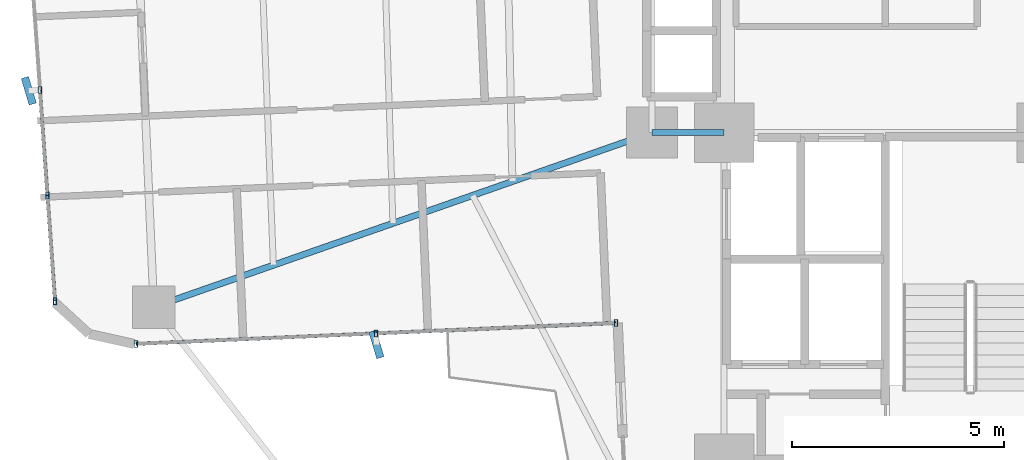
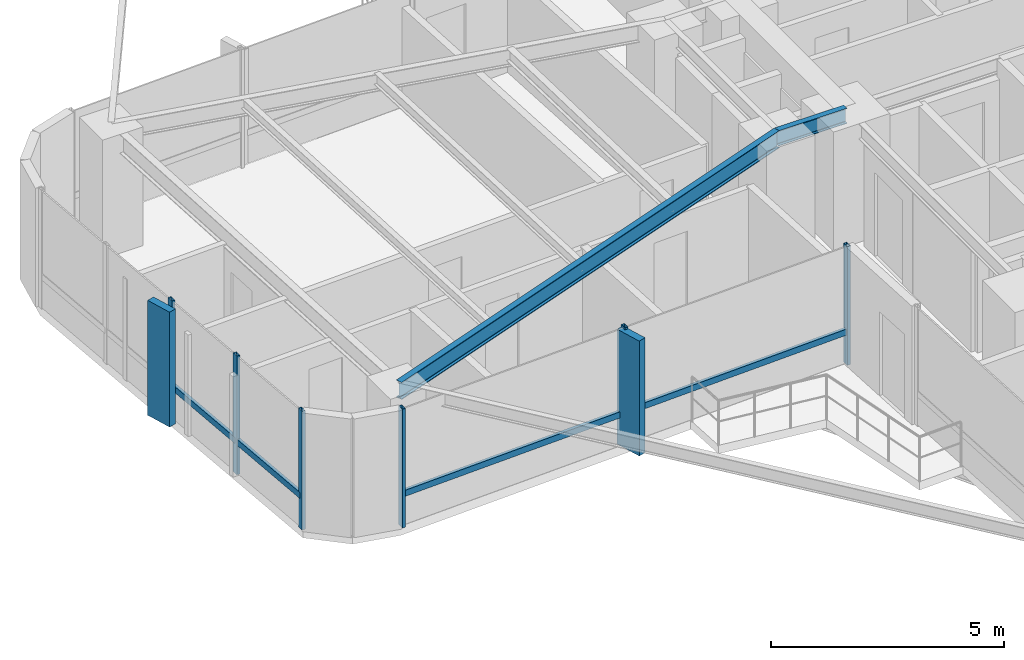
# One storey, part 8 of 26: 12 members, 2 beams, 2 elements without a shape of their own.
"""IFC4 building model written with IfcOpenShell, lengths in metres."""

from ifc_helpers import new_model, si_unit, direction, frame, origin, origin_2d, place, context, subcontext, project, spatial, rectangle, hollow_rectangle, i_section, extrude, source, transform, mapped, material, material_profile, profile_set, type_object, element, aggregate, save


model = new_model("IFC4")

# Units and contexts
model_context = context("Model", 3, precision=1e-05, world=origin(), true_north=direction((0.0, 1.0)))
body_context = subcontext(model_context, "Body", "Model", "MODEL_VIEW")
ifc_project = project(units=[si_unit("LENGTHUNIT", "METRE"), si_unit("AREAUNIT", "SQUARE_METRE"), si_unit("VOLUMEUNIT", "CUBIC_METRE"), si_unit("PLANEANGLEUNIT", "RADIAN"), si_unit("MASSUNIT", "GRAM", prefix="KILO")], contexts=[model_context])

# Site, building, storey
site_placement = place(None, origin())
site = spatial("IfcSite", under=ifc_project, at=site_placement, CompositionType="ELEMENT")
building_placement = place(site_placement, origin())
building = spatial("IfcBuilding", under=site, at=building_placement, Name="Sahyath Konkavel Grand Hotel", CompositionType="ELEMENT")
storey_placement = place(building_placement, frame((0.0, 0.0, 114.800048828125)))
storey = spatial("IfcBuildingStorey", under=building, at=storey_placement, Name="L31", CompositionType="ELEMENT", Elevation=114.800048828125)

# Beams
ifc_material_1 = material(Name="Steel E350", Category="steel")
ifc_material_profile_1 = material_profile(ifc_material_1, i_section(OverallWidth=0.139892578125, OverallDepth=0.39990234375, WebThickness=0.0087890625, FlangeThickness=0.01611328125, FilletRadius=0.013916015625, at=origin_2d()), Name="ISMB 400")
ifc_profile_set_1 = profile_set([ifc_material_profile_1], Name="Steel E350")
beam_type_1 = type_object("IfcBeamType", Name="BM-ISMB400", PredefinedType="BEAM", material=ifc_profile_set_1)
shared_shape_1 = source(origin(), body_context, "Body", "SweptSolid", [
    extrude(i_section(OverallWidth=0.139892578125, OverallDepth=0.39990234375, WebThickness=0.0087890625, FlangeThickness=0.01611328125, FilletRadius=0.013916015625, at=origin_2d()), origin(), (0.0, 0.0, 1.0), 1.699951171875),
])
beam_1_placement = place(storey_placement, frame((-5.5, -2.39990234375, 2.909912109375), z_axis=(1.0, 0.0, 0.0), x_axis=(0.0, 1.0, 0.0)))
element("IfcBeam", 1, at=beam_1_placement, inside=storey, type_object=beam_type_1, Name="str:bm:L31:HB-SW", PredefinedType="BEAM", context=body_context, shape_type="MappedRepresentation", body=[
    mapped(shared_shape_1, transform((0.0, 0.0, 0.0), scale=1.0)),
])
ifc_material_profile_2 = material_profile(ifc_material_1, i_section(OverallWidth=0.14990234375, OverallDepth=0.449951171875, WebThickness=0.009521484375, FlangeThickness=0.017333984375, FilletRadius=0.014892578125, at=origin_2d()), Name="ISMB 450")
ifc_profile_set_2 = profile_set([ifc_material_profile_2], Name="Steel E350")
beam_type_2 = type_object("IfcBeamType", Name="BM-ISMB450", PredefinedType="BEAM", material=ifc_profile_set_2)
shared_shape_2 = source(origin(), body_context, "Body", "SweptSolid", [
    extrude(i_section(OverallWidth=0.14990234375, OverallDepth=0.449951171875, WebThickness=0.009521484375, FlangeThickness=0.017333984375, FilletRadius=0.014892578125, at=origin_2d()), origin(), (0.0, 0.0, 1.0), 12.430908203125),
])
beam_2_placement = place(storey_placement, frame((-5.5, -2.39990234375, 2.885009765625), z_axis=(-0.943819157235, -0.330462400941, 0.0), x_axis=(0.330462400941, -0.943819157235, 0.0)))
element("IfcBeam", 2, at=beam_2_placement, inside=storey, type_object=beam_type_2, Name="L31 Cruciform Radial Girder WB", PredefinedType="BEAM", context=body_context, shape_type="MappedRepresentation", body=[
    mapped(shared_shape_2, transform((0.0, 0.0, 0.0), scale=1.0)),
])

# Curtain wall, members
ifc_material_2 = material(Name="Anodised Bronze Aluminium & Low-E Glazing", Category="aluminium")
curtain_wall_type = type_object("IfcCurtainWallType", Name="CW-ZONE2", PredefinedType="NOTDEFINED", material=ifc_material_2)
curtain_wall_1_placement = place(storey_placement, origin())
curtain_wall_1 = element("IfcCurtainWall", 3, at=curtain_wall_1_placement, inside=storey, type_object=curtain_wall_type, Name="L31 Unitised Curtain Wall F20", PredefinedType="NOTDEFINED")
ifc_material_3 = material(Name="Anodised Bronze Aluminium", Category="aluminium")
ifc_material_profile_3 = material_profile(ifc_material_3, hollow_rectangle(XDim=0.080078125, YDim=0.159912109375, WallThickness=0.006103515625, at=origin_2d()), Name="RHS 160x80x6")
ifc_profile_set_3 = profile_set([ifc_material_profile_3], Name="Anodised Bronze Aluminium")
member_type_1 = type_object("IfcMemberType", Name="CW-MUL-160", PredefinedType="MULLION", material=ifc_profile_set_3)
shared_shape_3 = source(origin(), body_context, "Body", "SweptSolid", [
    extrude(hollow_rectangle(XDim=0.080078125, YDim=0.159912109375, WallThickness=0.006103515625, at=origin_2d()), origin(), (0.0, 0.0, 1.0), 3.10986328125),
])
member_1_placement = place(storey_placement, frame((-19.91748046875, -1.39501953125, 0.0), z_axis=(0.0, 0.0, 1.0), x_axis=(1.0, 0.0, 0.0)))
member_1 = element("IfcMember", 4, at=member_1_placement, type_object=member_type_1, Name="L31 Curtain Wall Mullion F20-2", PredefinedType="MULLION", context=body_context, shape_type="MappedRepresentation", body=[
    mapped(shared_shape_3, transform((0.0, 0.0, 0.0), scale=1.0)),
])
member_2_placement = place(storey_placement, frame((-19.739013671875, -3.882080078125, 0.0), z_axis=(0.0, 0.0, 1.0), x_axis=(1.0, 0.0, 0.0)))
member_2 = element("IfcMember", 5, at=member_2_placement, type_object=member_type_1, Name="L31 Curtain Wall Mullion F20-3", PredefinedType="MULLION", context=body_context, shape_type="MappedRepresentation", body=[
    mapped(shared_shape_3, transform((0.0, 0.0, 0.0), scale=1.0)),
])
member_3_placement = place(storey_placement, frame((-19.560546875, -6.369384765625, 0.0), z_axis=(0.0, 0.0, 1.0), x_axis=(1.0, 0.0, 0.0)))
member_3 = element("IfcMember", 6, at=member_3_placement, type_object=member_type_1, Name="L31 Curtain Wall Mullion F20-4", PredefinedType="MULLION", context=body_context, shape_type="MappedRepresentation", body=[
    mapped(shared_shape_3, transform((0.0, 0.0, 0.0), scale=1.0)),
])

curtain_wall_2_placement = place(storey_placement, origin())
curtain_wall_2 = element("IfcCurtainWall", 7, at=curtain_wall_2_placement, inside=storey, type_object=curtain_wall_type, Name="L31 Unitised Curtain Wall F23", PredefinedType="NOTDEFINED")
member_4_placement = place(storey_placement, frame((-17.655029296875, -7.377197265625, 0.0), z_axis=(0.0, 0.0, 1.0), x_axis=(1.0, 0.0, 0.0)))
member_4 = element("IfcMember", 8, at=member_4_placement, type_object=member_type_1, Name="L31 Curtain Wall Mullion F23-0", PredefinedType="MULLION", context=body_context, shape_type="MappedRepresentation", body=[
    mapped(shared_shape_3, transform((0.0, 0.0, 0.0), scale=1.0)),
])
member_5_placement = place(storey_placement, frame((-12.00048828125, -7.13037109375, 0.0), z_axis=(0.0, 0.0, 1.0), x_axis=(1.0, 0.0, 0.0)))
member_5 = element("IfcMember", 9, at=member_5_placement, type_object=member_type_1, Name="L31 Curtain Wall Mullion F23-1", PredefinedType="MULLION", context=body_context, shape_type="MappedRepresentation", body=[
    mapped(shared_shape_3, transform((0.0, 0.0, 0.0), scale=1.0)),
])
member_6_placement = place(storey_placement, frame((-6.345703125, -6.88330078125, 0.0), z_axis=(0.0, 0.0, 1.0), x_axis=(1.0, 0.0, 0.0)))
member_6 = element("IfcMember", 10, at=member_6_placement, type_object=member_type_1, Name="L31 Curtain Wall Mullion F23-2", PredefinedType="MULLION", context=body_context, shape_type="MappedRepresentation", body=[
    mapped(shared_shape_3, transform((0.0, 0.0, 0.0), scale=1.0)),
])

# Member
ifc_material_4 = material(Name="Warm Buff Sandstone Cladding on Concrete C50/60", Category="masonry")
ifc_material_profile_4 = material_profile(ifc_material_4, rectangle(XDim=0.179931640625, YDim=0.64990234375, at=origin_2d()), Name="FIN 180x650")
ifc_profile_set_4 = profile_set([ifc_material_profile_4], Name="Warm Buff Sandstone Cladding on Concrete C50/60")
member_type_2 = type_object("IfcMemberType", Name="FIN-SANDSTONE-650", PredefinedType="MULLION", material=ifc_profile_set_4)
shared_shape_4 = source(origin(), body_context, "Body", "SweptSolid", [
    extrude(rectangle(XDim=0.179931640625, YDim=0.64990234375, at=origin_2d()), origin(), (0.0, 0.0, 1.0), 3.010009765625),
])
member_7_placement = place(storey_placement, frame((-20.1767578125, -1.413818359375, 0.050048828125), z_axis=(0.0, 0.0, 1.0), x_axis=(0.958720536398, 0.28435001862, 0.0)))
member_7 = element("IfcMember", 11, at=member_7_placement, type_object=member_type_2, Name="L31 Sandstone Vertical Solar Fin FIN F20-2", PredefinedType="MULLION", context=body_context, shape_type="MappedRepresentation", body=[
    mapped(shared_shape_4, transform((0.0, 0.0, 0.0), scale=1.0)),
])

member_8_placement = place(storey_placement, frame((-11.989013671875, -7.39013671875, 0.050048828125), z_axis=(0.0, 0.0, 1.0), x_axis=(0.957621645958, 0.288029136015, 0.0)))
member_8 = element("IfcMember", 12, at=member_8_placement, type_object=member_type_2, Name="L31 Sandstone Vertical Solar Fin FIN F23-1", PredefinedType="MULLION", context=body_context, shape_type="MappedRepresentation", body=[
    mapped(shared_shape_4, transform((0.0, 0.0, 0.0), scale=1.0)),
])

ifc_material_profile_5 = material_profile(ifc_material_3, hollow_rectangle(XDim=0.080078125, YDim=0.159912109375, WallThickness=0.006103515625, at=origin_2d()), Name="RHS 160x80x6")
ifc_profile_set_5 = profile_set([ifc_material_profile_5], Name="Anodised Bronze Aluminium")
member_type_3 = type_object("IfcMemberType", Name="CW-TRN-160", PredefinedType="USERDEFINED", material=ifc_profile_set_5)
shared_shape_5 = source(origin(), body_context, "Body", "SweptSolid", [
    extrude(hollow_rectangle(XDim=0.080078125, YDim=0.159912109375, WallThickness=0.006103515625, at=origin_2d()), origin(), (0.0, 0.0, 1.0), 2.493408203125),
])
member_9_placement = place(storey_placement, frame((-19.91748046875, -1.39501953125, 0.849853515625), z_axis=(0.071574084062, -0.997435286367, 0.0), x_axis=(0.997435286367, 0.071574084062, 0.0)))
member_9 = element("IfcMember", 13, at=member_9_placement, type_object=member_type_3, Name="L31 Curtain Wall Transom F20-2-spandrel", ObjectType="TRANSOM", PredefinedType="USERDEFINED", context=body_context, shape_type="MappedRepresentation", body=[
    mapped(shared_shape_5, transform((0.0, 0.0, 0.0), scale=1.0)),
])

shared_shape_6 = source(origin(), body_context, "Body", "SweptSolid", [
    extrude(hollow_rectangle(XDim=0.080078125, YDim=0.159912109375, WallThickness=0.006103515625, at=origin_2d()), origin(), (0.0, 0.0, 1.0), 2.49365234375),
])
member_10_placement = place(storey_placement, frame((-19.739013671875, -3.882080078125, 0.849853515625), z_axis=(0.071567094714, -0.997435787885, 0.0), x_axis=(0.997435787885, 0.071567094714, 0.0)))
member_10 = element("IfcMember", 14, at=member_10_placement, type_object=member_type_3, Name="L31 Curtain Wall Transom F20-3-spandrel", ObjectType="TRANSOM", PredefinedType="USERDEFINED", context=body_context, shape_type="MappedRepresentation", body=[
    mapped(shared_shape_6, transform((0.0, 0.0, 0.0), scale=1.0)),
])

aggregate(curtain_wall_1, [member_1, member_7, member_2, member_3, member_9, member_10])

shared_shape_7 = source(origin(), body_context, "Body", "SweptSolid", [
    extrude(hollow_rectangle(XDim=0.080078125, YDim=0.159912109375, WallThickness=0.006103515625, at=origin_2d()), origin(), (0.0, 0.0, 1.0), 5.659912109375),
])
member_11_placement = place(storey_placement, frame((-17.655029296875, -7.377197265625, 0.849853515625), z_axis=(0.999048655935, 0.043609437898, 0.0), x_axis=(-0.043609437898, 0.999048655935, 0.0)))
member_11 = element("IfcMember", 15, at=member_11_placement, type_object=member_type_3, Name="L31 Curtain Wall Transom F23-0-spandrel", ObjectType="TRANSOM", PredefinedType="USERDEFINED", context=body_context, shape_type="MappedRepresentation", body=[
    mapped(shared_shape_7, transform((0.0, 0.0, 0.0), scale=1.0)),
])

shared_shape_8 = source(origin(), body_context, "Body", "SweptSolid", [
    extrude(hollow_rectangle(XDim=0.080078125, YDim=0.159912109375, WallThickness=0.006103515625, at=origin_2d()), origin(), (0.0, 0.0, 1.0), 5.66015625),
])
member_12_placement = place(storey_placement, frame((-12.00048828125, -7.13037109375, 0.849853515625), z_axis=(0.9990468579, 0.043650609628, 0.0), x_axis=(-0.043650609628, 0.9990468579, 0.0)))
member_12 = element("IfcMember", 16, at=member_12_placement, type_object=member_type_3, Name="L31 Curtain Wall Transom F23-1-spandrel", ObjectType="TRANSOM", PredefinedType="USERDEFINED", context=body_context, shape_type="MappedRepresentation", body=[
    mapped(shared_shape_8, transform((0.0, 0.0, 0.0), scale=1.0)),
])

aggregate(curtain_wall_2, [member_4, member_5, member_8, member_6, member_11, member_12])

save(model, "model.ifc")
